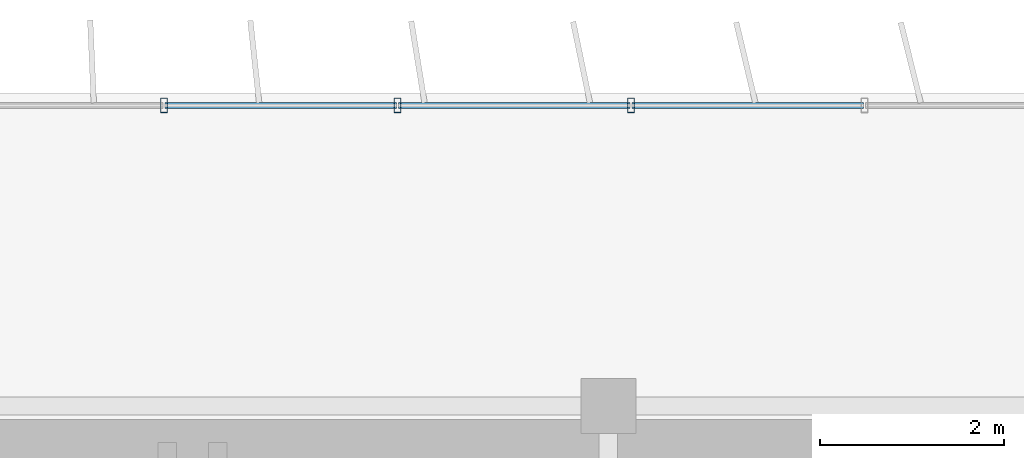
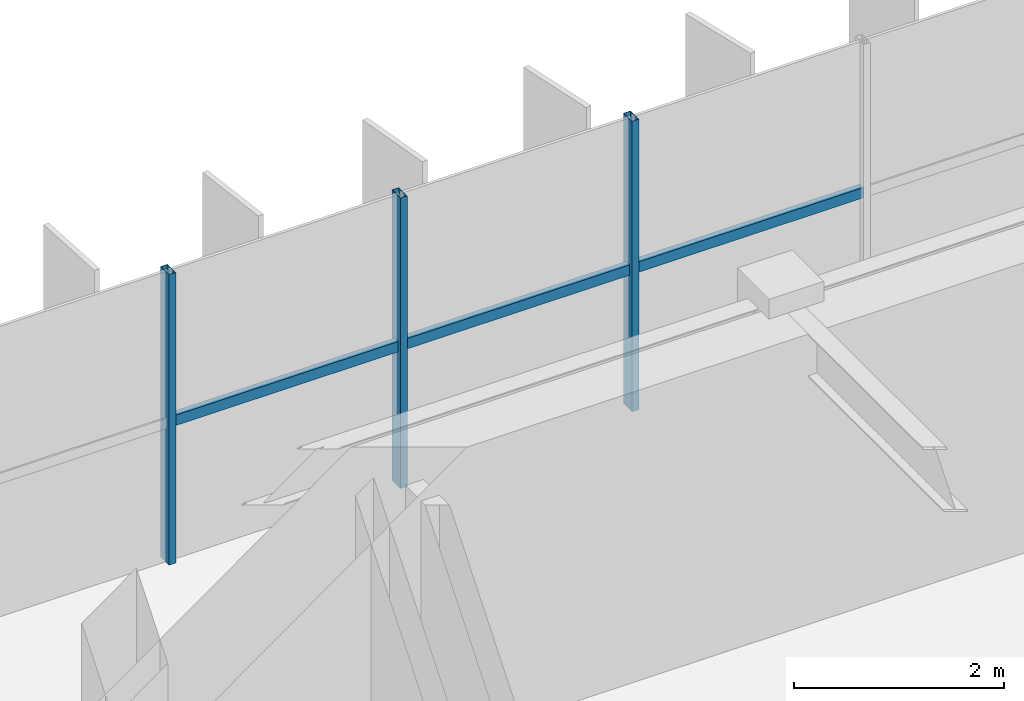
# One storey, part 8 of 22: 6 members, 1 element without a shape of its own.
"""IFC4 building model written with IfcOpenShell, lengths in metres."""

from ifc_helpers import new_model, si_unit, direction, frame, origin, origin_2d, place, context, subcontext, project, spatial, hollow_rectangle, extrude, source, transform, mapped, material, material_profile, profile_set, type_object, element, aggregate, save


model = new_model("IFC4")

# Units and contexts
model_context = context("Model", 3, precision=1e-05, world=origin(), true_north=direction((0.0, 1.0)))
body_context = subcontext(model_context, "Body", "Model", "MODEL_VIEW")
ifc_project = project(units=[si_unit("LENGTHUNIT", "METRE"), si_unit("AREAUNIT", "SQUARE_METRE"), si_unit("VOLUMEUNIT", "CUBIC_METRE"), si_unit("PLANEANGLEUNIT", "RADIAN"), si_unit("MASSUNIT", "GRAM", prefix="KILO")], contexts=[model_context])

# Site, building, storey
site_placement = place(None, origin())
site = spatial("IfcSite", under=ifc_project, at=site_placement, CompositionType="ELEMENT")
building_placement = place(site_placement, origin())
building = spatial("IfcBuilding", under=site, at=building_placement, Name="Trelvane Seafront Commons", CompositionType="ELEMENT")
storey_placement = place(building_placement, frame((0.0, 0.0, 273.89990234375)))
storey = spatial("IfcBuildingStorey", under=building, at=storey_placement, Name="L71", CompositionType="ELEMENT", Elevation=273.89990234375)

# Curtain wall, members
ifc_material = material(Name="Anodised pale-silver aluminium", Category="aluminium")
curtain_wall_type = type_object("IfcCurtainWallType", Name="ARCH-CW5-UPTOWER", PredefinedType="NOTDEFINED", material=ifc_material)
curtain_wall_placement = place(storey_placement, origin())
curtain_wall = element("IfcCurtainWall", 1, at=curtain_wall_placement, inside=storey, type_object=curtain_wall_type, Name="CW-L71-0115", PredefinedType="NOTDEFINED")
ifc_material_profile_1 = material_profile(ifc_material, hollow_rectangle(XDim=0.070068359375, YDim=0.1201171875, WallThickness=0.00390625, at=origin_2d()), Name="TRAN-70x120x4")
ifc_profile_set_1 = profile_set([ifc_material_profile_1], Name="Anodised pale-silver aluminium")
member_type_1 = type_object("IfcMemberType", Name="ARCH-CW-TRAN-120", PredefinedType="USERDEFINED", material=ifc_profile_set_1)
shared_shape_1 = source(origin(), body_context, "Body", "SweptSolid", [
    extrude(hollow_rectangle(XDim=0.070068359375, YDim=0.1201171875, WallThickness=0.00390625, at=origin_2d()), origin(), (0.0, 0.0, 1.0), 2.51708984375),
])
member_1_placement = place(storey_placement, frame((30.859130859375, 48.3701171875, 1.6181640625), z_axis=(1.0, 0.0, 0.0), x_axis=(0.0, 1.0, 0.0)))
member_1 = element("IfcMember", 2, at=member_1_placement, type_object=member_type_1, Name="CW-L71-0115-T06", ObjectType="TRANSOM", PredefinedType="USERDEFINED", context=body_context, shape_type="MappedRepresentation", body=[
    mapped(shared_shape_1, transform((0.0, 0.0, 0.0), x_axis=(1.0, 0.0, 0.0), y_axis=(0.0, 1.0, 0.0), z_axis=(0.0, 0.0, 1.0), scale=1.0)),
])
shared_shape_2 = source(origin(), body_context, "Body", "SweptSolid", [
    extrude(hollow_rectangle(XDim=0.070068359375, YDim=0.1201171875, WallThickness=0.00390625, at=origin_2d()), origin(), (0.0, 0.0, 1.0), 2.517333984375),
])
member_2_placement = place(storey_placement, frame((25.776611328125, 48.3701171875, 1.6181640625), z_axis=(1.0, 0.0, 0.0), x_axis=(0.0, 1.0, 0.0)))
member_2 = element("IfcMember", 3, at=member_2_placement, type_object=member_type_1, Name="CW-L71-0115-T04", ObjectType="TRANSOM", PredefinedType="USERDEFINED", context=body_context, shape_type="MappedRepresentation", body=[
    mapped(shared_shape_2, transform((0.0, 0.0, 0.0), x_axis=(1.0, 0.0, 0.0), y_axis=(0.0, 1.0, 0.0), z_axis=(0.0, 0.0, 1.0), scale=1.0)),
])
member_3_placement = place(storey_placement, frame((28.31787109375, 48.3701171875, 1.6181640625), z_axis=(1.0, 0.0, 0.0), x_axis=(0.0, 1.0, 0.0)))
member_3 = element("IfcMember", 4, at=member_3_placement, type_object=member_type_1, Name="CW-L71-0115-T05", ObjectType="TRANSOM", PredefinedType="USERDEFINED", context=body_context, shape_type="MappedRepresentation", body=[
    mapped(shared_shape_2, transform((0.0, 0.0, 0.0), x_axis=(1.0, 0.0, 0.0), y_axis=(0.0, 1.0, 0.0), z_axis=(0.0, 0.0, 1.0), scale=1.0)),
])
ifc_material_profile_2 = material_profile(ifc_material, hollow_rectangle(XDim=0.074951171875, YDim=0.159912109375, WallThickness=0.00390625, at=origin_2d()), Name="MULL-75x160x4")
ifc_profile_set_2 = profile_set([ifc_material_profile_2], Name="Anodised pale-silver aluminium")
member_type_2 = type_object("IfcMemberType", Name="ARCH-CW-MULL-160", PredefinedType="MULLION", material=ifc_profile_set_2)
shared_shape_3 = source(origin(), body_context, "Body", "SweptSolid", [
    extrude(hollow_rectangle(XDim=0.074951171875, YDim=0.159912109375, WallThickness=0.00390625, at=origin_2d()), origin(), (0.0, 0.0, 1.0), 3.3701171875),
])
member_4_placement = place(storey_placement, frame((25.7646484375, 48.3701171875, 0.0), z_axis=(0.0, 0.0, 1.0), x_axis=(1.0, 0.0, 0.0)))
member_4 = element("IfcMember", 5, at=member_4_placement, type_object=member_type_2, Name="CW-L71-0115-M04", PredefinedType="MULLION", context=body_context, shape_type="MappedRepresentation", body=[
    mapped(shared_shape_3, transform((0.0, 0.0, 0.0), x_axis=(1.0, 0.0, 0.0), y_axis=(0.0, 1.0, 0.0), z_axis=(0.0, 0.0, 1.0), scale=1.0)),
])
member_5_placement = place(storey_placement, frame((28.305908203125, 48.3701171875, 0.0), z_axis=(0.0, 0.0, 1.0), x_axis=(1.0, 0.0, 0.0)))
member_5 = element("IfcMember", 6, at=member_5_placement, type_object=member_type_2, Name="CW-L71-0115-M05", PredefinedType="MULLION", context=body_context, shape_type="MappedRepresentation", body=[
    mapped(shared_shape_3, transform((0.0, 0.0, 0.0), x_axis=(1.0, 0.0, 0.0), y_axis=(0.0, 1.0, 0.0), z_axis=(0.0, 0.0, 1.0), scale=1.0)),
])
member_6_placement = place(storey_placement, frame((30.84716796875, 48.3701171875, 0.0), z_axis=(0.0, 0.0, 1.0), x_axis=(1.0, 0.0, 0.0)))
member_6 = element("IfcMember", 7, at=member_6_placement, type_object=member_type_2, Name="CW-L71-0115-M06", PredefinedType="MULLION", context=body_context, shape_type="MappedRepresentation", body=[
    mapped(shared_shape_3, transform((0.0, 0.0, 0.0), x_axis=(1.0, 0.0, 0.0), y_axis=(0.0, 1.0, 0.0), z_axis=(0.0, 0.0, 1.0), scale=1.0)),
])
aggregate(curtain_wall, [member_4, member_5, member_6, member_2, member_3, member_1])

save(model, "model.ifc")
